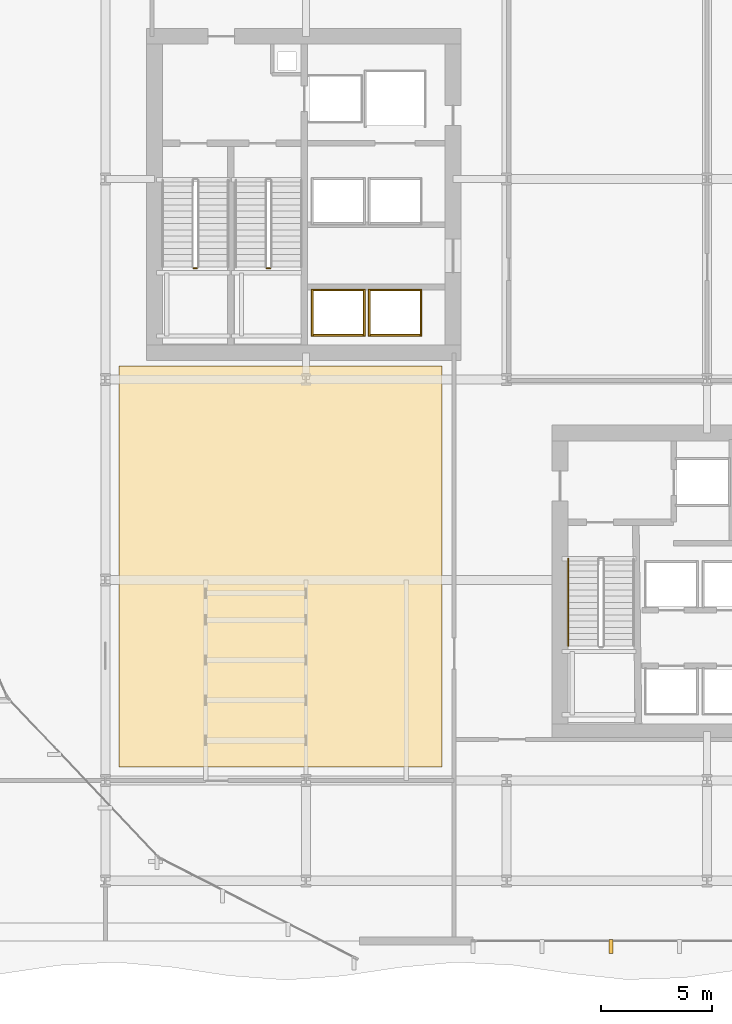
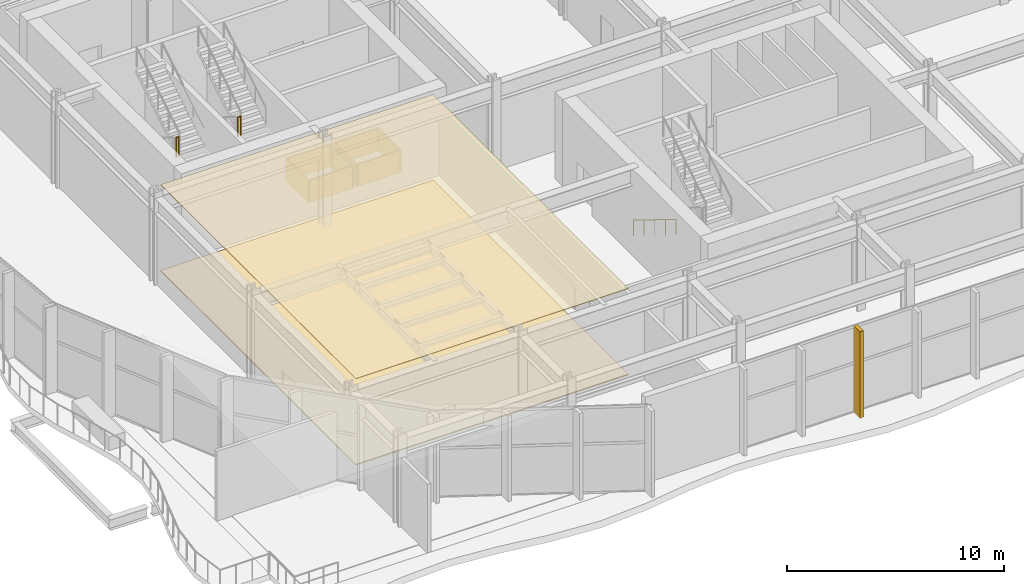
# One storey, part 27 of 33: 11 coverings, 3 railings.
"""IFC4 building model written with IfcOpenShell, lengths in metres."""

from ifc_helpers import new_model, si_unit, direction, frame, origin, origin_2d, place, context, subcontext, project, spatial, polyline, rectangle, circle, outline, extrude, material, layer, layer_set, type_object, element, save


model = new_model("IFC4")

# Units and contexts
model_context = context("Model", 3, precision=1e-05, world=origin(), true_north=direction((0.0, 1.0)))
body_context = subcontext(model_context, "Body", "Model", "MODEL_VIEW")
ifc_project = project(units=[si_unit("LENGTHUNIT", "METRE"), si_unit("AREAUNIT", "SQUARE_METRE"), si_unit("VOLUMEUNIT", "CUBIC_METRE"), si_unit("PLANEANGLEUNIT", "RADIAN"), si_unit("MASSUNIT", "GRAM", prefix="KILO")], contexts=[model_context])

# Site, building, storey
site_placement = place(None, origin())
site = spatial("IfcSite", under=ifc_project, at=site_placement, CompositionType="ELEMENT")
building_placement = place(site_placement, origin())
building = spatial("IfcBuilding", under=site, at=building_placement, Name="Solvaryn Broadcast Tower", CompositionType="ELEMENT")
storey_placement = place(building_placement, frame((0.0, 0.0, 5.800048828125)))
storey = spatial("IfcBuildingStorey", under=building, at=storey_placement, Name="L01", CompositionType="ELEMENT", Elevation=5.800048828125)

# Coverings
ifc_material_1 = material(Name="Studio Acoustic Mineral-Wool Baffle Ceiling", Category="concrete")
ifc_layer_1 = layer(ifc_material_1, 0.06005859375)
ifc_layer_set_1 = layer_set([ifc_layer_1], Name="CV-CEIL-BAFFLE")
covering_type_1 = type_object("IfcCoveringType", Name="CV-CEIL-BAFFLE", PredefinedType="CEILING", material=ifc_layer_set_1)
covering_1_placement = place(storey_placement, frame((0.0, 0.0, 4.83984375)))
element("IfcCovering", 1, at=covering_1_placement, inside=storey, type_object=covering_type_1, Name="L01 Room Acoustic Ceiling 1", PredefinedType="CEILING", context=body_context, shape_type="SweptSolid", body=[
    extrude(outline(polyline([(9.60009765625, 9.60009765625), (24.10009765625, 9.60009765625), (24.10009765625, 27.60009765625), (9.60009765625, 27.60009765625), (9.60009765625, 9.60009765625)])), origin(), (0.0, 0.0, 1.0), 0.0400390625),
])
ifc_material_2 = material(Name="Isolated Broadcast Studio Floating Acoustic Floor", Category="concrete")
ifc_layer_2 = layer(ifc_material_2, 0.080078125)
ifc_layer_set_2 = layer_set([ifc_layer_2], Name="CV-FLOOR-STUDIO")
covering_type_2 = type_object("IfcCoveringType", Name="CV-FLOOR-STUDIO", PredefinedType="FLOORING", material=ifc_layer_set_2)
covering_2_placement = place(storey_placement, origin())
element("IfcCovering", 2, at=covering_2_placement, inside=storey, type_object=covering_type_2, Name="L01 Room Acoustic Floor Finish 1", PredefinedType="FLOORING", context=body_context, shape_type="SweptSolid", body=[
    extrude(outline(polyline([(9.60009765625, 9.60009765625), (24.10009765625, 9.60009765625), (24.10009765625, 27.60009765625), (9.60009765625, 27.60009765625), (9.60009765625, 9.60009765625)])), origin(), (0.0, 0.0, 1.0), 0.050048828125),
])
ifc_material_3 = material(Name="Fire-Rated Gypsum Shaftwall Liner", Category="concrete")
ifc_layer_3 = layer(ifc_material_3, 0.080078125)
ifc_layer_set_3 = layer_set([ifc_layer_3], Name="CV-SHAFT-LINER")
covering_type_3 = type_object("IfcCoveringType", Name="CV-SHAFT-LINER", PredefinedType="CLADDING", material=ifc_layer_set_3)
for number, where, z_axis, x_axis, name in (
    (3, (19.449951171875, 31.014892578125, 0.0), (0.0, 0.0, 1.0), (1.0, 0.0, 0.0), "L01 PH1 Hoistway Shaft Liner North"),
    (4, (19.449951171875, 28.985107421875, 0.0), (0.0, 0.0, 1.0), (1.0, 0.0, 0.0), "L01 PH1 Hoistway Shaft Liner South"),
):
    element("IfcCovering", number, at=place(storey_placement, frame(where, z_axis=z_axis, x_axis=x_axis)), inside=storey, type_object=covering_type_3, Name=name, PredefinedType="CLADDING", context=body_context, shape_type="SweptSolid", body=[
        extrude(rectangle(XDim=2.409912109375, YDim=0.080078125, at=origin_2d()), origin(), (0.0, 0.0, 1.0), 1.25),
    ])
for number, where, z_axis, x_axis, name in (
    (5, (20.614990234375, 30.0, 0.0), (0.0, 0.0, 1.0), (1.0, 0.0, 0.0), "L01 PH1 Hoistway Shaft Liner East"),
    (6, (18.284912109375, 30.0, 0.0), (0.0, 0.0, 1.0), (1.0, 0.0, 0.0), "L01 PH1 Hoistway Shaft Liner West"),
):
    element("IfcCovering", number, at=place(storey_placement, frame(where, z_axis=z_axis, x_axis=x_axis)), inside=storey, type_object=covering_type_3, Name=name, PredefinedType="CLADDING", context=body_context, shape_type="SweptSolid", body=[
        extrude(rectangle(XDim=0.080078125, YDim=2.110107421875, at=origin_2d()), origin(), (0.0, 0.0, 1.0), 1.25),
    ])
for number, where, z_axis, x_axis, name in (
    (7, (22.0, 31.014892578125, 0.0), (0.0, 0.0, 1.0), (1.0, 0.0, 0.0), "L01 PH2 Hoistway Shaft Liner North"),
    (8, (22.0, 28.985107421875, 0.0), (0.0, 0.0, 1.0), (1.0, 0.0, 0.0), "L01 PH2 Hoistway Shaft Liner South"),
):
    element("IfcCovering", number, at=place(storey_placement, frame(where, z_axis=z_axis, x_axis=x_axis)), inside=storey, type_object=covering_type_3, Name=name, PredefinedType="CLADDING", context=body_context, shape_type="SweptSolid", body=[
        extrude(rectangle(XDim=2.409912109375, YDim=0.080078125, at=origin_2d()), origin(), (0.0, 0.0, 1.0), 1.25),
    ])
for number, where, z_axis, x_axis, name in (
    (9, (23.1650390625, 30.0, 0.0), (0.0, 0.0, 1.0), (1.0, 0.0, 0.0), "L01 PH2 Hoistway Shaft Liner East"),
    (10, (20.8349609375, 30.0, 0.0), (0.0, 0.0, 1.0), (1.0, 0.0, 0.0), "L01 PH2 Hoistway Shaft Liner West"),
):
    element("IfcCovering", number, at=place(storey_placement, frame(where, z_axis=z_axis, x_axis=x_axis)), inside=storey, type_object=covering_type_3, Name=name, PredefinedType="CLADDING", context=body_context, shape_type="SweptSolid", body=[
        extrude(rectangle(XDim=0.080078125, YDim=2.110107421875, at=origin_2d()), origin(), (0.0, 0.0, 1.0), 1.25),
    ])
ifc_material_4 = material(Name="Extruded Architectural Terracotta Fin", Category="masonry")
ifc_layer_4 = layer(ifc_material_4, 0.179931640625)
ifc_layer_set_4 = layer_set([ifc_layer_4], Name="CV-TC-FIN")
covering_type_4 = type_object("IfcCoveringType", Name="CV-TC-FIN", PredefinedType="USERDEFINED", material=ifc_layer_set_4)
covering_3_placement = place(storey_placement, frame((31.681884765625, 1.550048828125, 0.0), z_axis=(0.0, 0.0, 1.0), x_axis=(1.0, 0.0, 0.0)))
element("IfcCovering", 11, at=covering_3_placement, inside=storey, type_object=covering_type_4, Name="L01 Terracotta Vertical Fin FIN-POD-L01-S1-09", ObjectType="FIN", PredefinedType="USERDEFINED", context=body_context, shape_type="SweptSolid", body=[
    extrude(rectangle(XDim=0.179931640625, YDim=0.6201171875, at=origin_2d()), origin(), (0.0, 0.0, 1.0), 4.8798828125),
])

# Railings
ifc_material_5 = material(Name="Painted Steel Stair Well Guard", Category="steel")
railing_type_1 = type_object("IfcRailingType", Name="RL-STAIR-GUARD", PredefinedType="BALUSTRADE", material=ifc_material_5)
railing_1_placement = place(storey_placement, frame((12.9599609375, 31.989990234375, 2.599853515625)))
element("IfcRailing", 12, at=railing_1_placement, inside=storey, type_object=railing_type_1, Name="L01 ST1 stair guard 2", PredefinedType="BALUSTRADE", context=body_context, shape_type="SweptSolid", body=[
    extrude(circle(Radius=0.02392578125, at=origin_2d()), frame((0.0, 0.0, 1.076171875), z_axis=(1.0, 0.0, 0.0), x_axis=(0.0, 1.0, 0.0)), (0.0, 0.0, 1.0), 0.150146484375),
    extrude(circle(Radius=0.02099609375, at=origin_2d()), origin(), (0.0, 0.0, 1.0), 1.052001953125),
    extrude(circle(Radius=0.02099609375, at=origin_2d()), frame((0.150146484375, 0.0, 0.0)), (0.0, 0.0, 1.0), 1.052001953125),
])
railing_2_placement = place(storey_placement, frame((16.239990234375, 31.989990234375, 2.599853515625)))
element("IfcRailing", 13, at=railing_2_placement, inside=storey, type_object=railing_type_1, Name="L01 ST2 stair guard 2", PredefinedType="BALUSTRADE", context=body_context, shape_type="SweptSolid", body=[
    extrude(circle(Radius=0.02392578125, at=origin_2d()), frame((0.0, 0.0, 1.076171875), z_axis=(1.0, 0.0, 0.0), x_axis=(0.0, 1.0, 0.0)), (0.0, 0.0, 1.0), 0.14990234375),
    extrude(circle(Radius=0.02099609375, at=origin_2d()), origin(), (0.0, 0.0, 1.0), 1.052001953125),
    extrude(circle(Radius=0.02099609375, at=origin_2d()), frame((0.14990234375, 0.0, 0.0)), (0.0, 0.0, 1.0), 1.052001953125),
])
ifc_material_6 = material(Name="Brushed Stainless Steel Tubular Handrail", Category="steel")
railing_type_2 = type_object("IfcRailingType", Name="RL-STAIR-HANDRAIL", PredefinedType="HANDRAIL", material=ifc_material_6)
railing_3_placement = place(storey_placement, frame((29.77001953125, 18.9599609375, 0.17333984375)))
element("IfcRailing", 14, at=railing_3_placement, inside=storey, type_object=railing_type_2, Name="L01 ST3 stair handrail 1", PredefinedType="HANDRAIL", context=body_context, shape_type="SweptSolid", body=[
    extrude(circle(Radius=0.02392578125, at=origin_2d()), frame((0.0, 0.0, 0.8759765625), z_axis=(0.0, -0.850275303828, 0.526338206574), x_axis=(1.0, 0.0, 0.0)), (0.0, 0.0, 1.0), 4.610107421875),
    extrude(circle(Radius=0.02099609375, at=origin_2d()), origin(), (0.0, 0.0, 1.0), 0.851806640625),
    extrude(circle(Radius=0.02099609375, at=origin_2d()), frame((0.0, -0.97998046875, 0.606689453125)), (0.0, 0.0, 1.0), 0.851806640625),
    extrude(circle(Radius=0.02099609375, at=origin_2d()), frame((0.0, -1.9599609375, 1.21337890625)), (0.0, 0.0, 1.0), 0.851806640625),
    extrude(circle(Radius=0.02099609375, at=origin_2d()), frame((0.0, -2.93994140625, 1.81982421875)), (0.0, 0.0, 1.0), 0.851806640625),
    extrude(circle(Radius=0.02099609375, at=origin_2d()), frame((0.0, -3.919921875, 2.426513671875)), (0.0, 0.0, 1.0), 0.851806640625),
])

save(model, "model.ifc")
